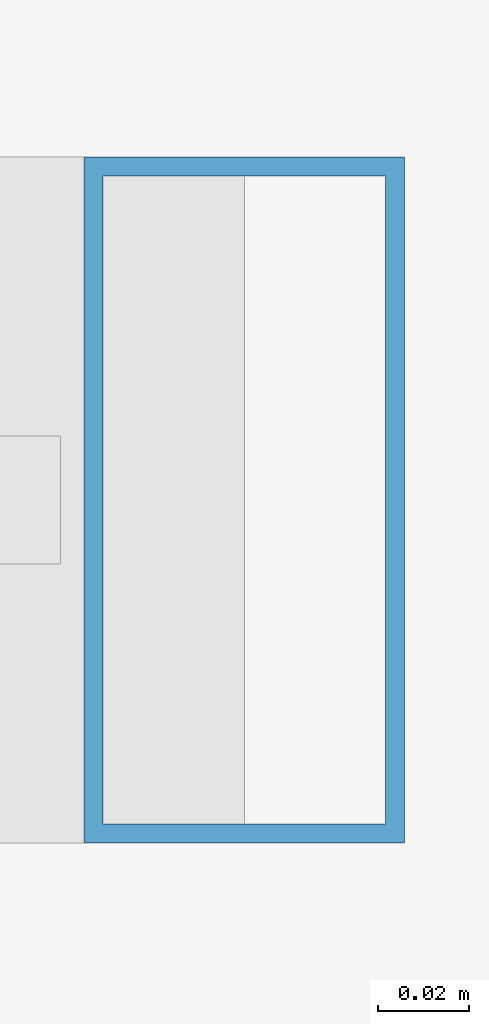
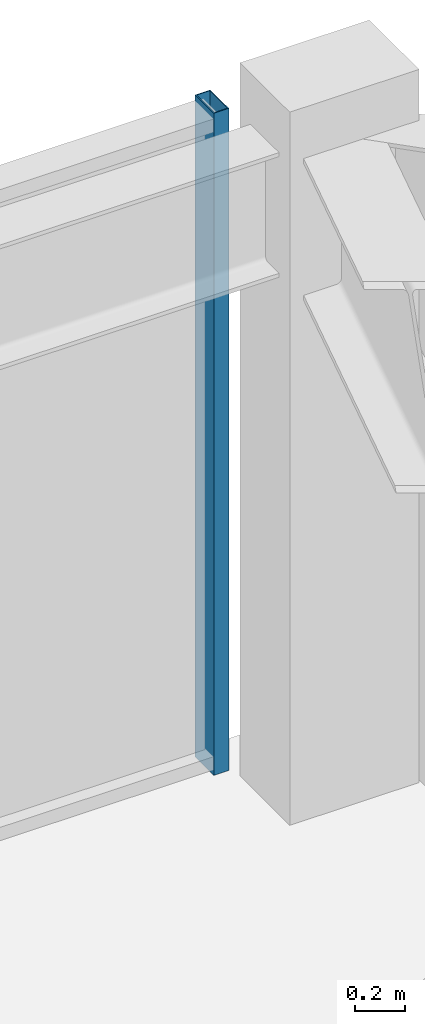
# One storey, part 19 of 31: 1 member, 1 element without a shape of its own.
"""IFC4 building model written with IfcOpenShell, lengths in metres."""

from ifc_helpers import new_model, si_unit, direction, frame, origin, origin_2d, place, context, subcontext, project, spatial, hollow_rectangle, extrude, material, material_profile, profile_set, type_object, element, aggregate, save


model = new_model("IFC4")

# Units and contexts
model_context = context("Model", 3, precision=1e-05, world=origin(), true_north=direction((0.0, 1.0)))
body_context = subcontext(model_context, "Body", "Model", "MODEL_VIEW")
ifc_project = project(units=[si_unit("LENGTHUNIT", "METRE"), si_unit("AREAUNIT", "SQUARE_METRE"), si_unit("VOLUMEUNIT", "CUBIC_METRE"), si_unit("PLANEANGLEUNIT", "RADIAN"), si_unit("MASSUNIT", "GRAM", prefix="KILO")], contexts=[model_context])

# Site, building, storey
site_placement = place(None, origin())
site = spatial("IfcSite", under=ifc_project, at=site_placement, CompositionType="ELEMENT")
building_placement = place(site_placement, origin())
building = spatial("IfcBuilding", under=site, at=building_placement, Name="Kolvaren Belvedere", CompositionType="ELEMENT")
storey_placement = place(building_placement, frame((0.0, 0.0, 251.39990234375)))
storey = spatial("IfcBuildingStorey", under=building, at=storey_placement, Name="L73", CompositionType="ELEMENT", Elevation=251.39990234375)

# Curtain wall, member
ifc_material_1 = material(Name="Anodised pale-metal aluminium AA 6063-T6", Category="aluminium")
curtain_wall_type = type_object("IfcCurtainWallType", Name="CW-Z5-HIGH", PredefinedType="NOTDEFINED", material=ifc_material_1)
curtain_wall_placement = place(storey_placement, origin())
curtain_wall = element("IfcCurtainWall", 1, at=curtain_wall_placement, inside=storey, type_object=curtain_wall_type, Name="L73 Unitised Curtain Wall FCW-L73-N2-B2", PredefinedType="NOTDEFINED")
ifc_material_2 = material(Name="Anodised pale-metal aluminium AA 6063-T6", Category="aluminium")
ifc_material_profile = material_profile(ifc_material_2, hollow_rectangle(XDim=0.070068359375, YDim=0.14990234375, WallThickness=0.004150390625, at=origin_2d()), Name="ALU-MUL-150X70")
ifc_profile_set = profile_set([ifc_material_profile], Name="Anodised pale-metal aluminium AA 6063-T6")
member_type = type_object("IfcMemberType", Name="CW-MUL-150", PredefinedType="MULLION", material=ifc_profile_set)
member_placement = place(storey_placement, frame((11.64501953125, 18.280029296875, 0.0), z_axis=(0.0, 0.0, 1.0), x_axis=(1.0, 0.0, 0.0)))
member = element("IfcMember", 2, at=member_placement, type_object=member_type, Name="FCW-L73-N2-B2 Unitised Mullion 3", PredefinedType="MULLION", context=body_context, shape_type="SweptSolid", body=[
    extrude(hollow_rectangle(XDim=0.070068359375, YDim=0.14990234375, WallThickness=0.004150390625, at=origin_2d()), origin(), (0.0, 0.0, 1.0), 3.25),
])
aggregate(curtain_wall, [member])

save(model, "model.ifc")
